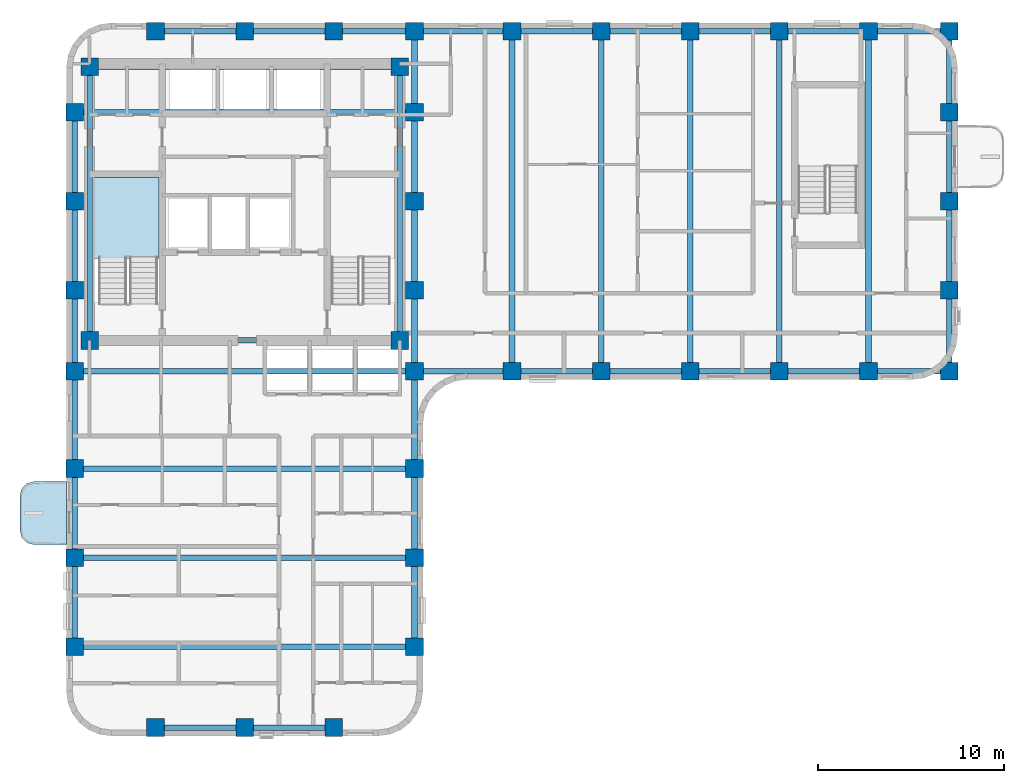
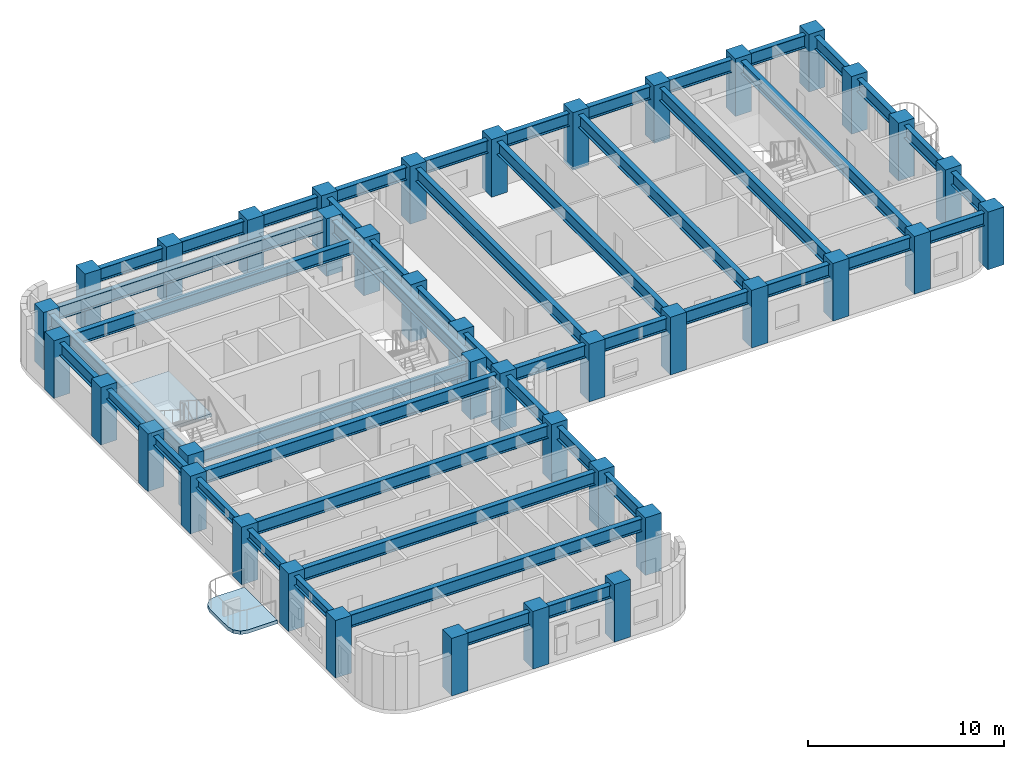
# One storey, part 1 of 10: 48 beams, 40 columns, 2 slabs, 1 element without a shape of its own.
"""IFC4 building model written with IfcOpenShell, lengths in metres."""

from ifc_helpers import new_model, si_unit, direction, frame, origin, origin_2d, place, context, subcontext, project, spatial, polyline, rectangle, i_section, outline, extrude, material, layer, layer_set, material_profile, profile_set, type_object, element, aggregate, save


model = new_model("IFC4")

# Units and contexts
model_context = context("Model", 3, precision=1e-05, world=origin(), true_north=direction((0.0, 1.0)))
body_context = subcontext(model_context, "Body", "Model", "MODEL_VIEW")
ifc_project = project(units=[si_unit("LENGTHUNIT", "METRE"), si_unit("AREAUNIT", "SQUARE_METRE"), si_unit("VOLUMEUNIT", "CUBIC_METRE"), si_unit("PLANEANGLEUNIT", "RADIAN"), si_unit("MASSUNIT", "GRAM", prefix="KILO")], contexts=[model_context])

# Site, building, storey
site_placement = place(None, origin())
site = spatial("IfcSite", under=ifc_project, at=site_placement, CompositionType="ELEMENT")
building_placement = place(site_placement, origin())
building = spatial("IfcBuilding", under=site, at=building_placement, Name="Orvandelia Arch Residences", CompositionType="ELEMENT")
storey_placement = place(building_placement, frame((0.0, 0.0, 139.60009765625)))
storey = spatial("IfcBuildingStorey", under=building, at=storey_placement, Name="L36", CompositionType="ELEMENT", Elevation=139.60009765625)

# Columns
ifc_material_1 = material(Name="Concrete C60/75", Category="concrete")
ifc_material_profile_1 = material_profile(ifc_material_1, rectangle(XDim=0.949951171875, YDim=0.949951171875, at=origin_2d()), Name="Concrete C60/75", Category="concrete")
ifc_profile_set_1 = profile_set([ifc_material_profile_1], Name="Concrete C60/75")
column_type = type_object("IfcColumnType", Name="COL-TWR-950", PredefinedType="COLUMN", material=ifc_profile_set_1)
for number, where, z_axis, x_axis, name in (
    (1, (5.25, 14.39990234375, 0.0), (0.0, 0.0, 1.0), (1.0, 0.0, 0.0), "Structural Column L36-W-W-144"),
    (2, (5.25, 19.199951171875, 0.0), (0.0, 0.0, 1.0), (1.0, 0.0, 0.0), "Structural Column L36-W-W-192"),
    (3, (5.25, 24.0, 0.0), (0.0, 0.0, 1.0), (1.0, 0.0, 0.0), "Structural Column L36-W-W-240"),
    (4, (5.25, 29.25, 0.0), (0.0, 0.0, 1.0), (1.0, 0.0, 0.0), "Structural Column L36-W-W-292"),
    (5, (5.25, 33.60009765625, 0.0), (0.0, 0.0, 1.0), (1.0, 0.0, 0.0), "Structural Column L36-W-W-336"),
    (6, (5.25, 38.39990234375, 0.0), (0.0, 0.0, 1.0), (1.0, 0.0, 0.0), "Structural Column L36-W-W-384"),
    (7, (5.25, 43.199951171875, 0.0), (0.0, 0.0, 1.0), (1.0, 0.0, 0.0), "Structural Column L36-W-W-432"),
    (8, (6.050048828125, 30.89990234375, 0.0), (0.0, 0.0, 1.0), (1.0, 0.0, 0.0), "Structural Column L36-CR-SW"),
    (9, (6.050048828125, 45.64990234375, 0.0), (0.0, 0.0, 1.0), (1.0, 0.0, 0.0), "Structural Column L36-CR-NW"),
    (10, (9.60009765625, 10.050048828125, 0.0), (0.0, 0.0, 1.0), (1.0, 0.0, 0.0), "Structural Column L36-W-S-96"),
    (11, (9.60009765625, 47.550048828125, 0.0), (0.0, 0.0, 1.0), (1.0, 0.0, 0.0), "Structural Column L36-W-N-96"),
    (12, (14.39990234375, 10.050048828125, 0.0), (0.0, 0.0, 1.0), (1.0, 0.0, 0.0), "Structural Column L36-W-S-144"),
    (13, (14.39990234375, 47.550048828125, 0.0), (0.0, 0.0, 1.0), (1.0, 0.0, 0.0), "Structural Column L36-W-N-144"),
    (14, (19.199951171875, 10.050048828125, 0.0), (0.0, 0.0, 1.0), (1.0, 0.0, 0.0), "Structural Column L36-W-S-192"),
    (15, (19.199951171875, 47.550048828125, 0.0), (0.0, 0.0, 1.0), (1.0, 0.0, 0.0), "Structural Column L36-W-N-192"),
    (16, (22.75, 30.89990234375, 0.0), (0.0, 0.0, 1.0), (1.0, 0.0, 0.0), "Structural Column L36-CR-SE"),
    (17, (22.75, 45.64990234375, 0.0), (0.0, 0.0, 1.0), (1.0, 0.0, 0.0), "Structural Column L36-CR-NE"),
    (18, (23.550048828125, 14.39990234375, 0.0), (0.0, 0.0, 1.0), (1.0, 0.0, 0.0), "Structural Column L36-W-E-144"),
    (19, (23.550048828125, 19.199951171875, 0.0), (0.0, 0.0, 1.0), (1.0, 0.0, 0.0), "Structural Column L36-W-E-192"),
    (20, (23.550048828125, 24.0, 0.0), (0.0, 0.0, 1.0), (1.0, 0.0, 0.0), "Structural Column L36-W-E-240"),
    (21, (23.550048828125, 29.25, 0.0), (0.0, 0.0, 1.0), (1.0, 0.0, 0.0), "Structural Column L36-W-E-292"),
    (22, (23.550048828125, 33.60009765625, 0.0), (0.0, 0.0, 1.0), (1.0, 0.0, 0.0), "Structural Column L36-W-E-336"),
    (23, (23.550048828125, 38.39990234375, 0.0), (0.0, 0.0, 1.0), (1.0, 0.0, 0.0), "Structural Column L36-W-E-384"),
    (24, (23.550048828125, 43.199951171875, 0.0), (0.0, 0.0, 1.0), (1.0, 0.0, 0.0), "Structural Column L36-W-E-432"),
    (25, (23.550048828125, 47.550048828125, 0.0), (0.0, 0.0, 1.0), (1.0, 0.0, 0.0), "Structural Column L36-W-N-235"),
    (26, (28.800048828125, 29.25, 0.0), (0.0, 0.0, 1.0), (1.0, 0.0, 0.0), "Structural Column L36-E-S-288"),
    (27, (28.800048828125, 47.550048828125, 0.0), (0.0, 0.0, 1.0), (1.0, 0.0, 0.0), "Structural Column L36-E-N-288"),
    (28, (33.60009765625, 29.25, 0.0), (0.0, 0.0, 1.0), (1.0, 0.0, 0.0), "Structural Column L36-E-S-336"),
    (29, (33.60009765625, 47.550048828125, 0.0), (0.0, 0.0, 1.0), (1.0, 0.0, 0.0), "Structural Column L36-E-N-336"),
    (30, (38.39990234375, 29.25, 0.0), (0.0, 0.0, 1.0), (1.0, 0.0, 0.0), "Structural Column L36-E-S-384"),
    (31, (38.39990234375, 47.550048828125, 0.0), (0.0, 0.0, 1.0), (1.0, 0.0, 0.0), "Structural Column L36-E-N-384"),
    (32, (43.199951171875, 29.25, 0.0), (0.0, 0.0, 1.0), (1.0, 0.0, 0.0), "Structural Column L36-E-S-432"),
    (33, (43.199951171875, 47.550048828125, 0.0), (0.0, 0.0, 1.0), (1.0, 0.0, 0.0), "Structural Column L36-E-N-432"),
    (34, (48.0, 29.25, 0.0), (0.0, 0.0, 1.0), (1.0, 0.0, 0.0), "Structural Column L36-E-S-480"),
    (35, (48.0, 47.550048828125, 0.0), (0.0, 0.0, 1.0), (1.0, 0.0, 0.0), "Structural Column L36-E-N-480"),
    (36, (52.35009765625, 29.25, 0.0), (0.0, 0.0, 1.0), (1.0, 0.0, 0.0), "Structural Column L36-E-S-523"),
    (37, (52.35009765625, 33.60009765625, 0.0), (0.0, 0.0, 1.0), (1.0, 0.0, 0.0), "Structural Column L36-E-523-336"),
    (38, (52.35009765625, 38.39990234375, 0.0), (0.0, 0.0, 1.0), (1.0, 0.0, 0.0), "Structural Column L36-E-523-384"),
    (39, (52.35009765625, 43.199951171875, 0.0), (0.0, 0.0, 1.0), (1.0, 0.0, 0.0), "Structural Column L36-E-523-432"),
    (40, (52.35009765625, 47.550048828125, 0.0), (0.0, 0.0, 1.0), (1.0, 0.0, 0.0), "Structural Column L36-E-N-523"),
):
    element("IfcColumn", number, at=place(storey_placement, frame(where, z_axis=z_axis, x_axis=x_axis)), inside=storey, type_object=column_type, Name=name, PredefinedType="COLUMN", context=body_context, shape_type="SweptSolid", body=[
        extrude(rectangle(XDim=0.949951171875, YDim=0.949951171875, at=origin_2d()), origin(), (0.0, 0.0, 1.0), 3.599853515625),
    ])

# Beams
ifc_material_2 = material(Name="Structural Steel SM355 (355 MPa)", Category="steel")
ifc_material_profile_2 = material_profile(ifc_material_2, i_section(OverallWidth=0.300048828125, OverallDepth=0.800048828125, WebThickness=0.013916015625, FlangeThickness=0.02587890625, FilletRadius=0.02587890625, at=origin_2d()), Name="Structural Steel SM355 (355 MPa)", Category="steel")
ifc_profile_set_2 = profile_set([ifc_material_profile_2], Name="Structural Steel SM355 (355 MPa)")
beam_type_1 = type_object("IfcBeamType", Name="BM-GRD-H800", PredefinedType="BEAM", material=ifc_profile_set_2)
beam_1_placement = place(storey_placement, frame((5.25, 38.39990234375, 2.9599609375), z_axis=(0.0, 1.0, 0.0), x_axis=(-1.0, 0.0, 0.0)))
element("IfcBeam", 41, at=beam_1_placement, inside=storey, type_object=beam_type_1, Name="Structural Frame Beam L36-NS-006", PredefinedType="BEAM", context=body_context, shape_type="SweptSolid", body=[
    extrude(i_section(OverallWidth=0.300048828125, OverallDepth=0.800048828125, WebThickness=0.013916015625, FlangeThickness=0.02587890625, FilletRadius=0.02587890625, at=origin_2d()), origin(), (0.0, 0.0, 1.0), 4.800048828125),
])
for number, where, z_axis, x_axis, name in (
    (42, (6.050048828125, 30.89990234375, 2.9599609375), (0.0, 1.0, 0.0), (-1.0, 0.0, 0.0), "Structural Frame Beam L36-NS-007"),
    (43, (22.75, 30.89990234375, 2.9599609375), (0.0, 1.0, 0.0), (-1.0, 0.0, 0.0), "Structural Frame Beam L36-NS-008"),
):
    element("IfcBeam", number, at=place(storey_placement, frame(where, z_axis=z_axis, x_axis=x_axis)), inside=storey, type_object=beam_type_1, Name=name, PredefinedType="BEAM", context=body_context, shape_type="SweptSolid", body=[
        extrude(i_section(OverallWidth=0.300048828125, OverallDepth=0.800048828125, WebThickness=0.013916015625, FlangeThickness=0.02587890625, FilletRadius=0.02587890625, at=origin_2d()), origin(), (0.0, 0.0, 1.0), 14.75),
    ])
for number, where, z_axis, x_axis, name in (
    (44, (23.550048828125, 14.39990234375, 2.9599609375), (0.0, 1.0, 0.0), (-1.0, 0.0, 0.0), "Structural Frame Beam L36-NS-009"),
    (45, (23.550048828125, 19.199951171875, 2.9599609375), (0.0, 1.0, 0.0), (-1.0, 0.0, 0.0), "Structural Frame Beam L36-NS-010"),
):
    element("IfcBeam", number, at=place(storey_placement, frame(where, z_axis=z_axis, x_axis=x_axis)), inside=storey, type_object=beam_type_1, Name=name, PredefinedType="BEAM", context=body_context, shape_type="SweptSolid", body=[
        extrude(i_section(OverallWidth=0.300048828125, OverallDepth=0.800048828125, WebThickness=0.013916015625, FlangeThickness=0.02587890625, FilletRadius=0.02587890625, at=origin_2d()), origin(), (0.0, 0.0, 1.0), 4.800048828125),
    ])
beam_2_placement = place(storey_placement, frame((23.550048828125, 24.0, 2.9599609375), z_axis=(0.0, 1.0, 0.0), x_axis=(-1.0, 0.0, 0.0)))
element("IfcBeam", 46, at=beam_2_placement, inside=storey, type_object=beam_type_1, Name="Structural Frame Beam L36-NS-011", PredefinedType="BEAM", context=body_context, shape_type="SweptSolid", body=[
    extrude(i_section(OverallWidth=0.300048828125, OverallDepth=0.800048828125, WebThickness=0.013916015625, FlangeThickness=0.02587890625, FilletRadius=0.02587890625, at=origin_2d()), origin(), (0.0, 0.0, 1.0), 5.25),
])
beam_3_placement = place(storey_placement, frame((23.550048828125, 29.25, 2.9599609375), z_axis=(0.0, 1.0, 0.0), x_axis=(-1.0, 0.0, 0.0)))
element("IfcBeam", 47, at=beam_3_placement, inside=storey, type_object=beam_type_1, Name="Structural Frame Beam L36-NS-012", PredefinedType="BEAM", context=body_context, shape_type="SweptSolid", body=[
    extrude(i_section(OverallWidth=0.300048828125, OverallDepth=0.800048828125, WebThickness=0.013916015625, FlangeThickness=0.02587890625, FilletRadius=0.02587890625, at=origin_2d()), origin(), (0.0, 0.0, 1.0), 4.35009765625),
])
beam_4_placement = place(storey_placement, frame((23.550048828125, 33.60009765625, 2.9599609375), z_axis=(0.0, 1.0, 0.0), x_axis=(-1.0, 0.0, 0.0)))
element("IfcBeam", 48, at=beam_4_placement, inside=storey, type_object=beam_type_1, Name="Structural Frame Beam L36-NS-013", PredefinedType="BEAM", context=body_context, shape_type="SweptSolid", body=[
    extrude(i_section(OverallWidth=0.300048828125, OverallDepth=0.800048828125, WebThickness=0.013916015625, FlangeThickness=0.02587890625, FilletRadius=0.02587890625, at=origin_2d()), origin(), (0.0, 0.0, 1.0), 4.7998046875),
])
beam_5_placement = place(storey_placement, frame((23.550048828125, 38.39990234375, 2.9599609375), z_axis=(0.0, 1.0, 0.0), x_axis=(-1.0, 0.0, 0.0)))
element("IfcBeam", 49, at=beam_5_placement, inside=storey, type_object=beam_type_1, Name="Structural Frame Beam L36-NS-014", PredefinedType="BEAM", context=body_context, shape_type="SweptSolid", body=[
    extrude(i_section(OverallWidth=0.300048828125, OverallDepth=0.800048828125, WebThickness=0.013916015625, FlangeThickness=0.02587890625, FilletRadius=0.02587890625, at=origin_2d()), origin(), (0.0, 0.0, 1.0), 4.800048828125),
])
beam_6_placement = place(storey_placement, frame((23.550048828125, 43.199951171875, 2.9599609375), z_axis=(0.0, 1.0, 0.0), x_axis=(-1.0, 0.0, 0.0)))
element("IfcBeam", 50, at=beam_6_placement, inside=storey, type_object=beam_type_1, Name="Structural Frame Beam L36-NS-015", PredefinedType="BEAM", context=body_context, shape_type="SweptSolid", body=[
    extrude(i_section(OverallWidth=0.300048828125, OverallDepth=0.800048828125, WebThickness=0.013916015625, FlangeThickness=0.02587890625, FilletRadius=0.02587890625, at=origin_2d()), origin(), (0.0, 0.0, 1.0), 4.35009765625),
])
for number, where, z_axis, x_axis, name in (
    (51, (28.800048828125, 29.25, 2.9599609375), (0.0, 1.0, 0.0), (-1.0, 0.0, 0.0), "Structural Frame Beam L36-NS-016"),
    (52, (33.60009765625, 29.25, 2.9599609375), (0.0, 1.0, 0.0), (-1.0, 0.0, 0.0), "Structural Frame Beam L36-NS-017"),
    (53, (38.39990234375, 29.25, 2.9599609375), (0.0, 1.0, 0.0), (-1.0, 0.0, 0.0), "Structural Frame Beam L36-NS-018"),
    (54, (43.199951171875, 29.25, 2.9599609375), (0.0, 1.0, 0.0), (-1.0, 0.0, 0.0), "Structural Frame Beam L36-NS-019"),
    (55, (48.0, 29.25, 2.9599609375), (0.0, 1.0, 0.0), (-1.0, 0.0, 0.0), "Structural Frame Beam L36-NS-020"),
):
    element("IfcBeam", number, at=place(storey_placement, frame(where, z_axis=z_axis, x_axis=x_axis)), inside=storey, type_object=beam_type_1, Name=name, PredefinedType="BEAM", context=body_context, shape_type="SweptSolid", body=[
        extrude(i_section(OverallWidth=0.300048828125, OverallDepth=0.800048828125, WebThickness=0.013916015625, FlangeThickness=0.02587890625, FilletRadius=0.02587890625, at=origin_2d()), origin(), (0.0, 0.0, 1.0), 18.300048828125),
    ])
beam_7_placement = place(storey_placement, frame((52.35009765625, 29.25, 2.9599609375), z_axis=(0.0, 1.0, 0.0), x_axis=(-1.0, 0.0, 0.0)))
element("IfcBeam", 56, at=beam_7_placement, inside=storey, type_object=beam_type_1, Name="Structural Frame Beam L36-NS-021", PredefinedType="BEAM", context=body_context, shape_type="SweptSolid", body=[
    extrude(i_section(OverallWidth=0.300048828125, OverallDepth=0.800048828125, WebThickness=0.013916015625, FlangeThickness=0.02587890625, FilletRadius=0.02587890625, at=origin_2d()), origin(), (0.0, 0.0, 1.0), 4.35009765625),
])
beam_8_placement = place(storey_placement, frame((52.35009765625, 33.60009765625, 2.9599609375), z_axis=(0.0, 1.0, 0.0), x_axis=(-1.0, 0.0, 0.0)))
element("IfcBeam", 57, at=beam_8_placement, inside=storey, type_object=beam_type_1, Name="Structural Frame Beam L36-NS-022", PredefinedType="BEAM", context=body_context, shape_type="SweptSolid", body=[
    extrude(i_section(OverallWidth=0.300048828125, OverallDepth=0.800048828125, WebThickness=0.013916015625, FlangeThickness=0.02587890625, FilletRadius=0.02587890625, at=origin_2d()), origin(), (0.0, 0.0, 1.0), 4.7998046875),
])
beam_9_placement = place(storey_placement, frame((52.35009765625, 38.39990234375, 2.9599609375), z_axis=(0.0, 1.0, 0.0), x_axis=(-1.0, 0.0, 0.0)))
element("IfcBeam", 58, at=beam_9_placement, inside=storey, type_object=beam_type_1, Name="Structural Frame Beam L36-NS-023", PredefinedType="BEAM", context=body_context, shape_type="SweptSolid", body=[
    extrude(i_section(OverallWidth=0.300048828125, OverallDepth=0.800048828125, WebThickness=0.013916015625, FlangeThickness=0.02587890625, FilletRadius=0.02587890625, at=origin_2d()), origin(), (0.0, 0.0, 1.0), 4.800048828125),
])
beam_10_placement = place(storey_placement, frame((52.35009765625, 43.199951171875, 2.9599609375), z_axis=(0.0, 1.0, 0.0), x_axis=(-1.0, 0.0, 0.0)))
element("IfcBeam", 59, at=beam_10_placement, inside=storey, type_object=beam_type_1, Name="Structural Frame Beam L36-NS-024", PredefinedType="BEAM", context=body_context, shape_type="SweptSolid", body=[
    extrude(i_section(OverallWidth=0.300048828125, OverallDepth=0.800048828125, WebThickness=0.013916015625, FlangeThickness=0.02587890625, FilletRadius=0.02587890625, at=origin_2d()), origin(), (0.0, 0.0, 1.0), 4.35009765625),
])
beam_11_placement = place(storey_placement, frame((9.60009765625, 10.050048828125, 2.9599609375), z_axis=(1.0, 0.0, 0.0), x_axis=(0.0, 1.0, 0.0)))
element("IfcBeam", 60, at=beam_11_placement, inside=storey, type_object=beam_type_1, Name="Structural Frame Girder L36-EW-025", PredefinedType="BEAM", context=body_context, shape_type="SweptSolid", body=[
    extrude(i_section(OverallWidth=0.300048828125, OverallDepth=0.800048828125, WebThickness=0.013916015625, FlangeThickness=0.02587890625, FilletRadius=0.02587890625, at=origin_2d()), origin(), (0.0, 0.0, 1.0), 4.7998046875),
])
beam_12_placement = place(storey_placement, frame((14.39990234375, 10.050048828125, 2.9599609375), z_axis=(1.0, 0.0, 0.0), x_axis=(0.0, 1.0, 0.0)))
element("IfcBeam", 61, at=beam_12_placement, inside=storey, type_object=beam_type_1, Name="Structural Frame Girder L36-EW-026", PredefinedType="BEAM", context=body_context, shape_type="SweptSolid", body=[
    extrude(i_section(OverallWidth=0.300048828125, OverallDepth=0.800048828125, WebThickness=0.013916015625, FlangeThickness=0.02587890625, FilletRadius=0.02587890625, at=origin_2d()), origin(), (0.0, 0.0, 1.0), 4.800048828125),
])
for number, where, z_axis, x_axis, name in (
    (62, (5.25, 14.39990234375, 2.9599609375), (1.0, 0.0, 0.0), (0.0, 1.0, 0.0), "Structural Frame Girder L36-EW-027"),
    (63, (5.25, 19.199951171875, 2.9599609375), (1.0, 0.0, 0.0), (0.0, 1.0, 0.0), "Structural Frame Girder L36-EW-028"),
    (64, (5.25, 24.0, 2.9599609375), (1.0, 0.0, 0.0), (0.0, 1.0, 0.0), "Structural Frame Girder L36-EW-029"),
    (65, (5.25, 29.25, 2.9599609375), (1.0, 0.0, 0.0), (0.0, 1.0, 0.0), "Structural Frame Girder L36-EW-030"),
):
    element("IfcBeam", number, at=place(storey_placement, frame(where, z_axis=z_axis, x_axis=x_axis)), inside=storey, type_object=beam_type_1, Name=name, PredefinedType="BEAM", context=body_context, shape_type="SweptSolid", body=[
        extrude(i_section(OverallWidth=0.300048828125, OverallDepth=0.800048828125, WebThickness=0.013916015625, FlangeThickness=0.02587890625, FilletRadius=0.02587890625, at=origin_2d()), origin(), (0.0, 0.0, 1.0), 18.300048828125),
    ])
beam_13_placement = place(storey_placement, frame((23.550048828125, 29.25, 2.9599609375), z_axis=(1.0, 0.0, 0.0), x_axis=(0.0, 1.0, 0.0)))
element("IfcBeam", 66, at=beam_13_placement, inside=storey, type_object=beam_type_1, Name="Structural Frame Girder L36-EW-031", PredefinedType="BEAM", context=body_context, shape_type="SweptSolid", body=[
    extrude(i_section(OverallWidth=0.300048828125, OverallDepth=0.800048828125, WebThickness=0.013916015625, FlangeThickness=0.02587890625, FilletRadius=0.02587890625, at=origin_2d()), origin(), (0.0, 0.0, 1.0), 5.25),
])
beam_14_placement = place(storey_placement, frame((28.800048828125, 29.25, 2.9599609375), z_axis=(1.0, 0.0, 0.0), x_axis=(0.0, 1.0, 0.0)))
element("IfcBeam", 67, at=beam_14_placement, inside=storey, type_object=beam_type_1, Name="Structural Frame Girder L36-EW-032", PredefinedType="BEAM", context=body_context, shape_type="SweptSolid", body=[
    extrude(i_section(OverallWidth=0.300048828125, OverallDepth=0.800048828125, WebThickness=0.013916015625, FlangeThickness=0.02587890625, FilletRadius=0.02587890625, at=origin_2d()), origin(), (0.0, 0.0, 1.0), 4.800048828125),
])
beam_15_placement = place(storey_placement, frame((33.60009765625, 29.25, 2.9599609375), z_axis=(1.0, 0.0, 0.0), x_axis=(0.0, 1.0, 0.0)))
element("IfcBeam", 68, at=beam_15_placement, inside=storey, type_object=beam_type_1, Name="Structural Frame Girder L36-EW-033", PredefinedType="BEAM", context=body_context, shape_type="SweptSolid", body=[
    extrude(i_section(OverallWidth=0.300048828125, OverallDepth=0.800048828125, WebThickness=0.013916015625, FlangeThickness=0.02587890625, FilletRadius=0.02587890625, at=origin_2d()), origin(), (0.0, 0.0, 1.0), 4.7998046875),
])
for number, where, z_axis, x_axis, name in (
    (69, (38.39990234375, 29.25, 2.9599609375), (1.0, 0.0, 0.0), (0.0, 1.0, 0.0), "Structural Frame Girder L36-EW-034"),
    (70, (43.199951171875, 29.25, 2.9599609375), (1.0, 0.0, 0.0), (0.0, 1.0, 0.0), "Structural Frame Girder L36-EW-035"),
):
    element("IfcBeam", number, at=place(storey_placement, frame(where, z_axis=z_axis, x_axis=x_axis)), inside=storey, type_object=beam_type_1, Name=name, PredefinedType="BEAM", context=body_context, shape_type="SweptSolid", body=[
        extrude(i_section(OverallWidth=0.300048828125, OverallDepth=0.800048828125, WebThickness=0.013916015625, FlangeThickness=0.02587890625, FilletRadius=0.02587890625, at=origin_2d()), origin(), (0.0, 0.0, 1.0), 4.800048828125),
    ])
beam_16_placement = place(storey_placement, frame((48.0, 29.25, 2.9599609375), z_axis=(1.0, 0.0, 0.0), x_axis=(0.0, 1.0, 0.0)))
element("IfcBeam", 71, at=beam_16_placement, inside=storey, type_object=beam_type_1, Name="Structural Frame Girder L36-EW-036", PredefinedType="BEAM", context=body_context, shape_type="SweptSolid", body=[
    extrude(i_section(OverallWidth=0.300048828125, OverallDepth=0.800048828125, WebThickness=0.013916015625, FlangeThickness=0.02587890625, FilletRadius=0.02587890625, at=origin_2d()), origin(), (0.0, 0.0, 1.0), 4.35009765625),
])
beam_17_placement = place(storey_placement, frame((6.050048828125, 30.89990234375, 2.9599609375), z_axis=(1.0, 0.0, 0.0), x_axis=(0.0, 1.0, 0.0)))
element("IfcBeam", 72, at=beam_17_placement, inside=storey, type_object=beam_type_1, Name="Structural Frame Girder L36-EW-037", PredefinedType="BEAM", context=body_context, shape_type="SweptSolid", body=[
    extrude(i_section(OverallWidth=0.300048828125, OverallDepth=0.800048828125, WebThickness=0.013916015625, FlangeThickness=0.02587890625, FilletRadius=0.02587890625, at=origin_2d()), origin(), (0.0, 0.0, 1.0), 16.699951171875),
])
beam_18_placement = place(storey_placement, frame((5.25, 43.199951171875, 2.9599609375), z_axis=(1.0, 0.0, 0.0), x_axis=(0.0, 1.0, 0.0)))
element("IfcBeam", 73, at=beam_18_placement, inside=storey, type_object=beam_type_1, Name="Structural Frame Girder L36-EW-040", PredefinedType="BEAM", context=body_context, shape_type="SweptSolid", body=[
    extrude(i_section(OverallWidth=0.300048828125, OverallDepth=0.800048828125, WebThickness=0.013916015625, FlangeThickness=0.02587890625, FilletRadius=0.02587890625, at=origin_2d()), origin(), (0.0, 0.0, 1.0), 18.300048828125),
])
beam_19_placement = place(storey_placement, frame((6.050048828125, 45.64990234375, 2.9599609375), z_axis=(1.0, 0.0, 0.0), x_axis=(0.0, 1.0, 0.0)))
element("IfcBeam", 74, at=beam_19_placement, inside=storey, type_object=beam_type_1, Name="Structural Frame Girder L36-EW-041", PredefinedType="BEAM", context=body_context, shape_type="SweptSolid", body=[
    extrude(i_section(OverallWidth=0.300048828125, OverallDepth=0.800048828125, WebThickness=0.013916015625, FlangeThickness=0.02587890625, FilletRadius=0.02587890625, at=origin_2d()), origin(), (0.0, 0.0, 1.0), 16.699951171875),
])
beam_20_placement = place(storey_placement, frame((9.60009765625, 47.550048828125, 2.9599609375), z_axis=(1.0, 0.0, 0.0), x_axis=(0.0, 1.0, 0.0)))
element("IfcBeam", 75, at=beam_20_placement, inside=storey, type_object=beam_type_1, Name="Structural Frame Girder L36-EW-042", PredefinedType="BEAM", context=body_context, shape_type="SweptSolid", body=[
    extrude(i_section(OverallWidth=0.300048828125, OverallDepth=0.800048828125, WebThickness=0.013916015625, FlangeThickness=0.02587890625, FilletRadius=0.02587890625, at=origin_2d()), origin(), (0.0, 0.0, 1.0), 4.7998046875),
])
beam_21_placement = place(storey_placement, frame((14.39990234375, 47.550048828125, 2.9599609375), z_axis=(1.0, 0.0, 0.0), x_axis=(0.0, 1.0, 0.0)))
element("IfcBeam", 76, at=beam_21_placement, inside=storey, type_object=beam_type_1, Name="Structural Frame Girder L36-EW-043", PredefinedType="BEAM", context=body_context, shape_type="SweptSolid", body=[
    extrude(i_section(OverallWidth=0.300048828125, OverallDepth=0.800048828125, WebThickness=0.013916015625, FlangeThickness=0.02587890625, FilletRadius=0.02587890625, at=origin_2d()), origin(), (0.0, 0.0, 1.0), 4.800048828125),
])
beam_22_placement = place(storey_placement, frame((19.199951171875, 47.550048828125, 2.9599609375), z_axis=(1.0, 0.0, 0.0), x_axis=(0.0, 1.0, 0.0)))
element("IfcBeam", 77, at=beam_22_placement, inside=storey, type_object=beam_type_1, Name="Structural Frame Girder L36-EW-044", PredefinedType="BEAM", context=body_context, shape_type="SweptSolid", body=[
    extrude(i_section(OverallWidth=0.300048828125, OverallDepth=0.800048828125, WebThickness=0.013916015625, FlangeThickness=0.02587890625, FilletRadius=0.02587890625, at=origin_2d()), origin(), (0.0, 0.0, 1.0), 4.35009765625),
])
beam_23_placement = place(storey_placement, frame((23.550048828125, 47.550048828125, 2.9599609375), z_axis=(1.0, 0.0, 0.0), x_axis=(0.0, 1.0, 0.0)))
element("IfcBeam", 78, at=beam_23_placement, inside=storey, type_object=beam_type_1, Name="Structural Frame Girder L36-EW-045", PredefinedType="BEAM", context=body_context, shape_type="SweptSolid", body=[
    extrude(i_section(OverallWidth=0.300048828125, OverallDepth=0.800048828125, WebThickness=0.013916015625, FlangeThickness=0.02587890625, FilletRadius=0.02587890625, at=origin_2d()), origin(), (0.0, 0.0, 1.0), 5.25),
])
beam_24_placement = place(storey_placement, frame((28.800048828125, 47.550048828125, 2.9599609375), z_axis=(1.0, 0.0, 0.0), x_axis=(0.0, 1.0, 0.0)))
element("IfcBeam", 79, at=beam_24_placement, inside=storey, type_object=beam_type_1, Name="Structural Frame Girder L36-EW-046", PredefinedType="BEAM", context=body_context, shape_type="SweptSolid", body=[
    extrude(i_section(OverallWidth=0.300048828125, OverallDepth=0.800048828125, WebThickness=0.013916015625, FlangeThickness=0.02587890625, FilletRadius=0.02587890625, at=origin_2d()), origin(), (0.0, 0.0, 1.0), 4.800048828125),
])
beam_25_placement = place(storey_placement, frame((33.60009765625, 47.550048828125, 2.9599609375), z_axis=(1.0, 0.0, 0.0), x_axis=(0.0, 1.0, 0.0)))
element("IfcBeam", 80, at=beam_25_placement, inside=storey, type_object=beam_type_1, Name="Structural Frame Girder L36-EW-047", PredefinedType="BEAM", context=body_context, shape_type="SweptSolid", body=[
    extrude(i_section(OverallWidth=0.300048828125, OverallDepth=0.800048828125, WebThickness=0.013916015625, FlangeThickness=0.02587890625, FilletRadius=0.02587890625, at=origin_2d()), origin(), (0.0, 0.0, 1.0), 4.7998046875),
])
for number, where, z_axis, x_axis, name in (
    (81, (38.39990234375, 47.550048828125, 2.9599609375), (1.0, 0.0, 0.0), (0.0, 1.0, 0.0), "Structural Frame Girder L36-EW-048"),
    (82, (43.199951171875, 47.550048828125, 2.9599609375), (1.0, 0.0, 0.0), (0.0, 1.0, 0.0), "Structural Frame Girder L36-EW-049"),
):
    element("IfcBeam", number, at=place(storey_placement, frame(where, z_axis=z_axis, x_axis=x_axis)), inside=storey, type_object=beam_type_1, Name=name, PredefinedType="BEAM", context=body_context, shape_type="SweptSolid", body=[
        extrude(i_section(OverallWidth=0.300048828125, OverallDepth=0.800048828125, WebThickness=0.013916015625, FlangeThickness=0.02587890625, FilletRadius=0.02587890625, at=origin_2d()), origin(), (0.0, 0.0, 1.0), 4.800048828125),
    ])
beam_26_placement = place(storey_placement, frame((48.0, 47.550048828125, 2.9599609375), z_axis=(1.0, 0.0, 0.0), x_axis=(0.0, 1.0, 0.0)))
element("IfcBeam", 83, at=beam_26_placement, inside=storey, type_object=beam_type_1, Name="Structural Frame Girder L36-EW-050", PredefinedType="BEAM", context=body_context, shape_type="SweptSolid", body=[
    extrude(i_section(OverallWidth=0.300048828125, OverallDepth=0.800048828125, WebThickness=0.013916015625, FlangeThickness=0.02587890625, FilletRadius=0.02587890625, at=origin_2d()), origin(), (0.0, 0.0, 1.0), 4.35009765625),
])
ifc_material_profile_3 = material_profile(ifc_material_2, i_section(OverallWidth=0.300048828125, OverallDepth=0.587890625, WebThickness=0.011962890625, FlangeThickness=0.02001953125, FilletRadius=0.02197265625, at=origin_2d()), Name="Structural Steel SM355 (355 MPa)", Category="steel")
ifc_profile_set_3 = profile_set([ifc_material_profile_3], Name="Structural Steel SM355 (355 MPa)")
beam_type_2 = type_object("IfcBeamType", Name="BM-SPN-H588", PredefinedType="SPANDREL", material=ifc_profile_set_3)
for number, where, z_axis, x_axis, name in (
    (84, (5.25, 14.39990234375, 3.06591796875), (0.0, 1.0, 0.0), (-1.0, 0.0, 0.0), "Structural Frame Beam L36-NS-001"),
    (85, (5.25, 19.199951171875, 3.06591796875), (0.0, 1.0, 0.0), (-1.0, 0.0, 0.0), "Structural Frame Beam L36-NS-002"),
):
    element("IfcBeam", number, at=place(storey_placement, frame(where, z_axis=z_axis, x_axis=x_axis)), inside=storey, type_object=beam_type_2, Name=name, PredefinedType="SPANDREL", context=body_context, shape_type="SweptSolid", body=[
        extrude(i_section(OverallWidth=0.300048828125, OverallDepth=0.587890625, WebThickness=0.011962890625, FlangeThickness=0.02001953125, FilletRadius=0.02197265625, at=origin_2d()), origin(), (0.0, 0.0, 1.0), 4.800048828125),
    ])
beam_27_placement = place(storey_placement, frame((5.25, 24.0, 3.06591796875), z_axis=(0.0, 1.0, 0.0), x_axis=(-1.0, 0.0, 0.0)))
element("IfcBeam", 86, at=beam_27_placement, inside=storey, type_object=beam_type_2, Name="Structural Frame Beam L36-NS-003", PredefinedType="SPANDREL", context=body_context, shape_type="SweptSolid", body=[
    extrude(i_section(OverallWidth=0.300048828125, OverallDepth=0.587890625, WebThickness=0.011962890625, FlangeThickness=0.02001953125, FilletRadius=0.02197265625, at=origin_2d()), origin(), (0.0, 0.0, 1.0), 5.25),
])
beam_28_placement = place(storey_placement, frame((5.25, 29.25, 3.06591796875), z_axis=(0.0, 1.0, 0.0), x_axis=(-1.0, 0.0, 0.0)))
element("IfcBeam", 87, at=beam_28_placement, inside=storey, type_object=beam_type_2, Name="Structural Frame Beam L36-NS-004", PredefinedType="SPANDREL", context=body_context, shape_type="SweptSolid", body=[
    extrude(i_section(OverallWidth=0.300048828125, OverallDepth=0.587890625, WebThickness=0.011962890625, FlangeThickness=0.02001953125, FilletRadius=0.02197265625, at=origin_2d()), origin(), (0.0, 0.0, 1.0), 4.35009765625),
])
beam_29_placement = place(storey_placement, frame((5.25, 33.60009765625, 3.06591796875), z_axis=(0.0, 1.0, 0.0), x_axis=(-1.0, 0.0, 0.0)))
element("IfcBeam", 88, at=beam_29_placement, inside=storey, type_object=beam_type_2, Name="Structural Frame Beam L36-NS-005", PredefinedType="SPANDREL", context=body_context, shape_type="SweptSolid", body=[
    extrude(i_section(OverallWidth=0.300048828125, OverallDepth=0.587890625, WebThickness=0.011962890625, FlangeThickness=0.02001953125, FilletRadius=0.02197265625, at=origin_2d()), origin(), (0.0, 0.0, 1.0), 4.7998046875),
])

# Slab
ifc_material_3 = material(Name="Precast concrete C40/50", Category="concrete")
ifc_layer_1 = layer(ifc_material_3, 0.219970703125, Name="Precast concrete C40/50", Category="concrete")
ifc_layer_set_1 = layer_set([ifc_layer_1], Name="Precast concrete C40/50")
slab_type_1 = type_object("IfcSlabType", Name="SLB-BAL-220", PredefinedType="USERDEFINED", material=ifc_layer_set_1)
slab_1_placement = place(storey_placement, frame((0.0, 0.0, -0.22021484375)))
element("IfcSlab", 89, at=slab_1_placement, inside=storey, type_object=slab_type_1, Name="Tree Balcony Cantilever Slab BAL-L36-W1", ObjectType="BALCONY", PredefinedType="USERDEFINED", context=body_context, shape_type="SweptSolid", body=[
    extrude(outline(polyline([(4.800048828125, 19.89990234375), (4.800048828125, 23.300048828125), (3.050048828125, 23.300048828125), (2.675048828125, 23.199462890625), (2.400390625, 22.925048828125), (2.300048828125, 22.550048828125), (2.300048828125, 20.64990234375), (2.400390625, 20.27490234375), (2.675048828125, 20.00048828125), (3.050048828125, 19.89990234375), (4.800048828125, 19.89990234375)])), origin(), (0.0, 0.0, 1.0), 0.22021484375),
])

# Stair, slab
ifc_material_4 = material(Name="Concrete C40/50", Category="concrete")
stair_type = type_object("IfcStairType", Name="STAIR-RC-DOGLEG", PredefinedType="HALF_TURN_STAIR", material=ifc_material_4)
stair_placement = place(storey_placement, origin())
stair = element("IfcStair", 90, at=stair_placement, inside=storey, type_object=stair_type, Name="L36 Protected Exit Stair ST-1", PredefinedType="HALF_TURN_STAIR")
ifc_layer_2 = layer(ifc_material_4, 0.219970703125, Name="Concrete C40/50", Category="concrete")
ifc_layer_set_2 = layer_set([ifc_layer_2], Name="Concrete C40/50")
slab_type_2 = type_object("IfcSlabType", Name="SLB-LANDING-220", PredefinedType="LANDING", material=ifc_layer_set_2)
slab_2_placement = place(storey_placement, frame((0.0, 0.0, 1.599853515625)))
slab_2 = element("IfcSlab", 91, at=slab_2_placement, type_object=slab_type_2, Name="ST-1 landing 1", PredefinedType="LANDING", context=body_context, shape_type="SweptSolid", body=[
    extrude(outline(polyline([(9.800048828125, 35.31005859375), (9.800048828125, 39.68994140625), (6.260009765625, 39.68994140625), (6.260009765625, 35.31005859375), (9.800048828125, 35.31005859375)])), origin(), (0.0, 0.0, 1.0), 0.199951171875),
])
aggregate(stair, [slab_2])

save(model, "model.ifc")
